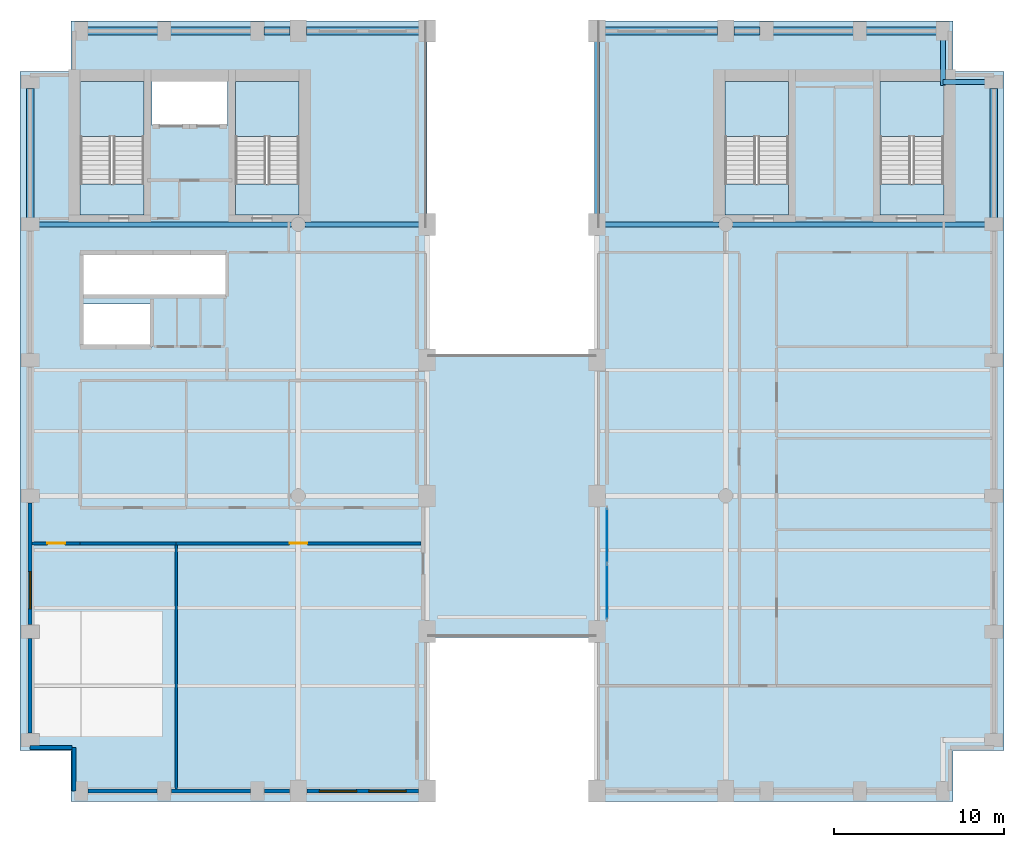
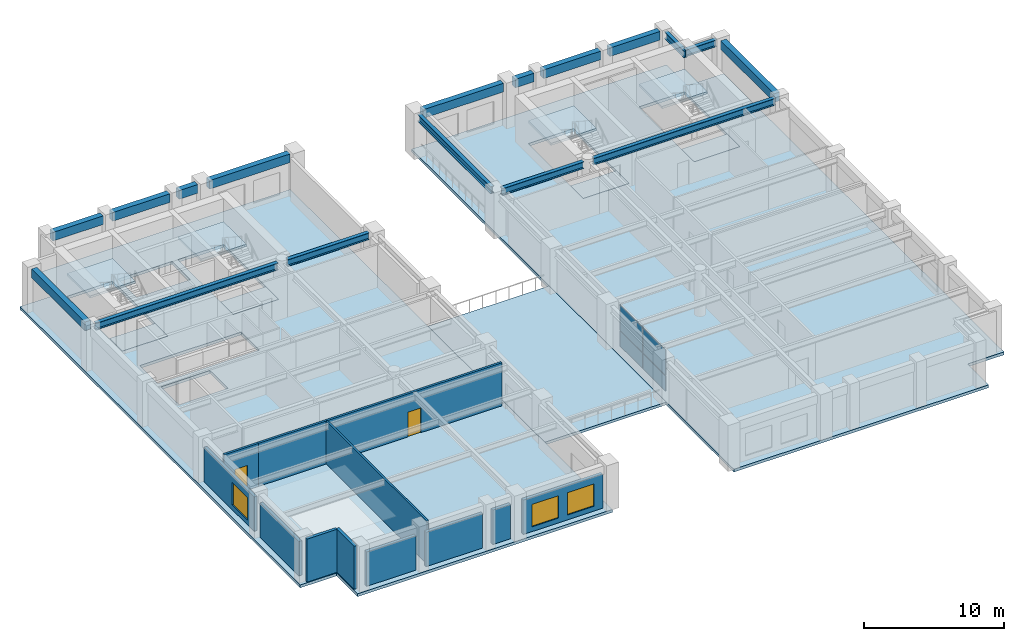
# One storey, part 3 of 10: 17 beams, 12 walls, 11 slabs, 4 plates, 3 windows, 2 doors, 5 openings, 5 elements without a shape of their own.
"""IFC4 building model written with IfcOpenShell, lengths in metres."""

import ifcopenshell
import ifcopenshell.guid

model = None  # the IFC model being written
_history = None  # IfcOwnerHistory: only IFC2X3 demands one
_inside = {}  # id of a spatial element -> (the spatial element, [elements in it])
_under = {}  # id of a project, library or spatial element -> (it, [spatial elements below it])
_declared = {}  # id of a project -> (the project, [libraries it declares])
_typed = {}  # id of a type object -> (the type object, [elements of that type])
_made_of = {}  # id of a material, layer set ... -> (it, [elements and type objects made of it])


def new_model(schema):
    """Start an empty IFC model of exactly this schema.

    Asked for "IFC4X3", IfcOpenShell would pick the latest addendum, in which some entities
    have other attributes; the version numbers below select the first issue.
    IFC2X3 requires an IfcOwnerHistory on every rooted entity: one is made here for all.
    """
    global model, _history
    if schema == "IFC4X3":
        model = ifcopenshell.file(schema_version=(4, 3, 0, 0))
    else:
        model = ifcopenshell.file(schema=schema)
    _inside.clear()
    _under.clear()
    _declared.clear()
    _typed.clear()
    _made_of.clear()
    _history = None
    if model.schema == "IFC2X3":
        org = make("IfcOrganization", Name="unknown")
        user = make(
            "IfcPersonAndOrganization",
            ThePerson=make("IfcPerson", FamilyName="unknown"),
            TheOrganization=org,
        )
        app = make(
            "IfcApplication",
            ApplicationDeveloper=org,
            Version="unknown",
            ApplicationFullName="unknown",
            ApplicationIdentifier="unknown",
        )
        _history = make(
            "IfcOwnerHistory",
            OwningUser=user,
            OwningApplication=app,
            ChangeAction="ADDED",
            CreationDate=0,
        )
    return model


def make(cls, **values):
    """One entity of the class cls with the attributes given. An attribute that is None is left unset."""
    return model.create_entity(
        cls, **{name: value for name, value in values.items() if value is not None}
    )


def rooted(cls, **values):
    """An entity with a GlobalId (a new one), such as an element, a storey or a relation."""
    return make(cls, GlobalId=ifcopenshell.guid.new(), OwnerHistory=_history, **values)


def si_unit(unit_type, name, prefix=None):
    """IfcSIUnit, for example si_unit("LENGTHUNIT", "METRE", prefix="MILLI")."""
    return make("IfcSIUnit", UnitType=unit_type, Prefix=prefix, Name=name)


def assignment(units):
    """IfcUnitAssignment: the units of a project."""
    return None if units is None else make("IfcUnitAssignment", Units=units)


def point(xyz):
    """IfcCartesianPoint."""
    return None if xyz is None else make("IfcCartesianPoint", Coordinates=xyz)


def direction(xyz):
    """IfcDirection."""
    return None if xyz is None else make("IfcDirection", DirectionRatios=xyz)


def frame(location, z_axis=None, x_axis=None):
    """IfcAxis2Placement3D, a coordinate frame: its origin and axes. An axis left out is left unset."""
    return make(
        "IfcAxis2Placement3D",
        Location=point(location),
        Axis=direction(z_axis),
        RefDirection=direction(x_axis),
    )


def frame_2d(location, x_axis=None):
    """IfcAxis2Placement2D, a coordinate frame in the plane: its origin and x axis."""
    return make(
        "IfcAxis2Placement2D", Location=point(location), RefDirection=direction(x_axis)
    )


def origin():
    """The frame at (0, 0, 0) with its axes left unset."""
    return frame((0.0, 0.0, 0.0))


def origin_2d():
    """The frame at (0, 0) in the plane with its x axis left unset."""
    return frame_2d((0.0, 0.0))


def place(relative_to, where):
    """IfcLocalPlacement: puts the frame where relative to a parent placement (None: the world)."""
    return make(
        "IfcLocalPlacement", PlacementRelTo=relative_to, RelativePlacement=where
    )


def context(
    kind, dimensions, precision=None, world=None, true_north=None, identifier=None
):
    """IfcGeometricRepresentationContext, for example the 3D "Model" context."""
    return make(
        "IfcGeometricRepresentationContext",
        ContextIdentifier=identifier,
        ContextType=kind,
        CoordinateSpaceDimension=dimensions,
        Precision=precision,
        WorldCoordinateSystem=world,
        TrueNorth=true_north,
    )


def subcontext(parent, identifier, kind, view, scale=None):
    """IfcGeometricRepresentationSubContext, for example "Body" below "Model"."""
    return make(
        "IfcGeometricRepresentationSubContext",
        ContextIdentifier=identifier,
        ContextType=kind,
        ParentContext=parent,
        TargetScale=scale,
        TargetView=view,
    )


def project(units=None, contexts=None):
    """IfcProject with its units and contexts."""
    return rooted(
        "IfcProject",
        Name="project",
        RepresentationContexts=contexts,
        UnitsInContext=assignment(units),
    )


def spatial(cls, under=None, at=None, **own):
    """A site, building, storey or space (cls), placed at a placement, below another one or the project."""
    s = rooted(cls, ObjectPlacement=at, **own)
    if under is not None:
        _under.setdefault(under.id(), (under, []))[1].append(s)
    return s


def polyline(points):
    """IfcPolyline through the points."""
    return make("IfcPolyline", Points=[point(p) for p in points])


def profile(cls, at=None, kind="AREA", **sizes):
    """A parametric profile (cls). Its sizes go by their IFC names, for example OverallWidth=200.0."""
    return make(cls, ProfileType=kind, Position=at, **sizes)


def rectangle(**sizes):
    """IfcRectangleProfileDef."""
    return profile("IfcRectangleProfileDef", **sizes)


def i_section(**sizes):
    """IfcIShapeProfileDef."""
    return profile("IfcIShapeProfileDef", **sizes)


def outline(outer, holes=None, kind="AREA"):
    """IfcArbitraryClosedProfileDef: a profile drawn as a closed curve; with holes, ...WithVoids."""
    if holes is None:
        return make("IfcArbitraryClosedProfileDef", ProfileType=kind, OuterCurve=outer)
    return make(
        "IfcArbitraryProfileDefWithVoids",
        ProfileType=kind,
        OuterCurve=outer,
        InnerCurves=holes,
    )


def extrude(swept, where, along, depth):
    """IfcExtrudedAreaSolid: the profile swept, set in the frame where, extruded along a direction by depth."""
    return make(
        "IfcExtrudedAreaSolid",
        SweptArea=swept,
        Position=where,
        ExtrudedDirection=direction(along),
        Depth=depth,
    )


def shape(context_of_items, identifier, shape_type, items):
    """IfcShapeRepresentation: the items that make up one representation, for example the "Body"."""
    return make(
        "IfcShapeRepresentation",
        ContextOfItems=context_of_items,
        RepresentationIdentifier=identifier,
        RepresentationType=shape_type,
        Items=items,
    )


def material(Name=None, Category=None):
    """IfcMaterial."""
    return make("IfcMaterial", Name=Name, Category=Category)


def layer(
    of_material, thickness, ventilated=None, Name=None, Category=None, Priority=None
):
    """IfcMaterialLayer: one layer of a wall or slab, of a material (None: an air gap)."""
    return make(
        "IfcMaterialLayer",
        Material=of_material,
        LayerThickness=thickness,
        IsVentilated=ventilated,
        Name=Name,
        Category=Category,
        Priority=Priority,
    )


def layer_set(layers, Name=None):
    """IfcMaterialLayerSet."""
    return make("IfcMaterialLayerSet", MaterialLayers=layers, LayerSetName=Name)


def material_profile(
    of_material, cross_section, Name=None, Category=None, Priority=None
):
    """IfcMaterialProfile: a cross section and its material."""
    return make(
        "IfcMaterialProfile",
        Name=Name,
        Material=of_material,
        Profile=cross_section,
        Priority=Priority,
        Category=Category,
    )


def profile_set(profiles, Name=None, composite=None):
    """IfcMaterialProfileSet."""
    return make(
        "IfcMaterialProfileSet",
        Name=Name,
        MaterialProfiles=profiles,
        CompositeProfile=composite,
    )


def made_of(thing, what):
    """Note that an element or type object is made of a material, layer set ...; save() writes the relation."""
    if what is not None:
        _made_of.setdefault(what.id(), (what, []))[1].append(thing)
    return thing


def type_object(cls, material=None, **own):
    """A type object (cls), such as IfcWallType, which elements share."""
    return made_of(rooted(cls, **own), material)


def element(
    cls,
    number,
    at=None,
    inside=None,
    cuts=None,
    type_object=None,
    material=None,
    context=None,
    identifier="Body",
    shape_type=None,
    held_by="IfcProductDefinitionShape",
    body=None,
    shapes=None,
    **own,
):
    """One element of the class cls, such as IfcWall. Its Tag is "e" and its number.

    at: its placement. inside: the storey or other place that contains it. cuts: it is an
    opening in that element (IfcRelVoidsElement). A single representation is given by context,
    identifier, shape_type and body (its items); several are given by shapes. held_by: the class
    of the entity that holds the representations. save() writes the other relations.
    """
    e = rooted(cls, Tag="e%d" % number, ObjectPlacement=at, **own)
    if body is not None:
        shapes = [shape(context, identifier, shape_type, body)]
    if shapes is not None:
        e.Representation = make(held_by, Representations=shapes)
    if inside is not None:
        _inside.setdefault(inside.id(), (inside, []))[1].append(e)
    if cuts is not None:
        rooted(
            "IfcRelVoidsElement", RelatingBuildingElement=cuts, RelatedOpeningElement=e
        )
    if type_object is not None:
        _typed.setdefault(type_object.id(), (type_object, []))[1].append(e)
    return made_of(e, material)


def fill(opening, filler):
    """IfcRelFillsElement: the door or window that sits in an opening."""
    return rooted(
        "IfcRelFillsElement",
        RelatingOpeningElement=opening,
        RelatedBuildingElement=filler,
    )


def aggregate(whole, parts):
    """IfcRelAggregates: a whole, such as a stair, and the parts it consists of."""
    return rooted("IfcRelAggregates", RelatingObject=whole, RelatedObjects=parts)


def save(model, path):
    """Write the relations noted so far, then the file.

    IfcRelAggregates (storeys below a building ...), IfcRelContainedInSpatialStructure (elements
    in a storey), IfcRelDefinesByType, IfcRelAssociatesMaterial and IfcRelDeclares: one each for
    every whole, place, type object, material and project.
    """
    for whole, parts in _under.values():
        aggregate(whole, parts)
    for where, things in _inside.values():
        rooted(
            "IfcRelContainedInSpatialStructure",
            RelatedElements=things,
            RelatingStructure=where,
        )
    for kind, things in _typed.values():
        rooted("IfcRelDefinesByType", RelatedObjects=things, RelatingType=kind)
    for what, things in _made_of.values():
        rooted("IfcRelAssociatesMaterial", RelatedObjects=things, RelatingMaterial=what)
    for by, libraries in _declared.values():
        rooted("IfcRelDeclares", RelatingContext=by, RelatedDefinitions=libraries)
    model.write(path)


model = new_model("IFC4")

# Units and contexts
model_context = context("Model", 3, precision=1e-05, world=origin(), true_north=direction((0.0, 1.0)))
body_context = subcontext(model_context, "Body", "Model", "MODEL_VIEW")
ifc_project = project(units=[si_unit("LENGTHUNIT", "METRE"), si_unit("AREAUNIT", "SQUARE_METRE"), si_unit("VOLUMEUNIT", "CUBIC_METRE"), si_unit("PLANEANGLEUNIT", "RADIAN"), si_unit("MASSUNIT", "GRAM", prefix="KILO")], contexts=[model_context])

# Site, building, storey
site_placement = place(None, origin())
site = spatial("IfcSite", under=ifc_project, at=site_placement, CompositionType="ELEMENT")
building_placement = place(site_placement, origin())
building = spatial("IfcBuilding", under=site, at=building_placement, Name="Sulina Concourse Tower", CompositionType="ELEMENT")
storey_placement = place(building_placement, frame((0.0, 0.0, 182.60009765625)))
storey = spatial("IfcBuildingStorey", under=building, at=storey_placement, Name="L44", CompositionType="ELEMENT", Elevation=182.60009765625)

# Beams
ifc_material_1 = material(Name="Steel S355", Category="steel")
ifc_material_profile_1 = material_profile(ifc_material_1, i_section(OverallWidth=0.300048828125, OverallDepth=0.60009765625, WebThickness=0.015380859375, FlangeThickness=0.030029296875, at=origin_2d()), Name="HE 600 B")
ifc_profile_set_1 = profile_set([ifc_material_profile_1], Name="Steel S355")
beam_type_1 = type_object("IfcBeamType", Name="Floor Primary Girder Zone 3 HE600B", PredefinedType="BEAM", material=ifc_profile_set_1)
beam_1_placement = place(storey_placement, frame((54.39990234375, 42.39990234375, 3.449951171875), z_axis=(1.0, 0.0, 0.0), x_axis=(0.0, 1.0, 0.0)))
element("IfcBeam", 1, at=beam_1_placement, inside=storey, type_object=beam_type_1, Name="TIE-NE-L44", PredefinedType="BEAM", context=body_context, shape_type="SweptSolid", body=[
    extrude(i_section(OverallWidth=0.300048828125, OverallDepth=0.60009765625, WebThickness=0.015380859375, FlangeThickness=0.030029296875, at=origin_2d()), origin(), (0.0, 0.0, 1.0), 2.6201171875),
])
beam_2_placement = place(storey_placement, frame((54.39990234375, 42.199951171875, 3.449951171875), z_axis=(0.0, 1.0, 0.0), x_axis=(-1.0, 0.0, 0.0)))
element("IfcBeam", 2, at=beam_2_placement, inside=storey, type_object=beam_type_1, Name="TIE-NEN-L44", PredefinedType="BEAM", context=body_context, shape_type="SweptSolid", body=[
    extrude(i_section(OverallWidth=0.300048828125, OverallDepth=0.60009765625, WebThickness=0.015380859375, FlangeThickness=0.030029296875, at=origin_2d()), origin(), (0.0, 0.0, 1.0), 2.820068359375),
])
beam_3_placement = place(storey_placement, frame((0.97998046875, 34.0, 3.449951171875), z_axis=(1.0, 0.0, 0.0), x_axis=(0.0, 1.0, 0.0)))
element("IfcBeam", 3, at=beam_3_placement, inside=storey, type_object=beam_type_1, Name="FG-EWN1-L44", PredefinedType="BEAM", context=body_context, shape_type="SweptSolid", body=[
    extrude(i_section(OverallWidth=0.300048828125, OverallDepth=0.60009765625, WebThickness=0.015380859375, FlangeThickness=0.030029296875, at=origin_2d()), origin(), (0.0, 0.0, 1.0), 15.01513671875),
])
for number, where, z_axis, x_axis, name in (
    (4, (16.804931640625, 34.0, 3.449951171875), (1.0, 0.0, 0.0), (0.0, 1.0, 0.0), "FG-EWN2-L44"),
    (5, (34.47998046875, 34.0, 3.449951171875), (1.0, 0.0, 0.0), (0.0, 1.0, 0.0), "FG-EWN4-L44"),
):
    element("IfcBeam", number, at=place(storey_placement, frame(where, z_axis=z_axis, x_axis=x_axis)), inside=storey, type_object=beam_type_1, Name=name, PredefinedType="BEAM", context=body_context, shape_type="SweptSolid", body=[
        extrude(i_section(OverallWidth=0.300048828125, OverallDepth=0.60009765625, WebThickness=0.015380859375, FlangeThickness=0.030029296875, at=origin_2d()), origin(), (0.0, 0.0, 1.0), 6.715087890625),
    ])
beam_4_placement = place(storey_placement, frame((42.0048828125, 34.0, 3.449951171875), z_axis=(1.0, 0.0, 0.0), x_axis=(0.0, 1.0, 0.0)))
element("IfcBeam", 6, at=beam_4_placement, inside=storey, type_object=beam_type_1, Name="FG-EWN5-L44", PredefinedType="BEAM", context=body_context, shape_type="SweptSolid", body=[
    extrude(i_section(OverallWidth=0.300048828125, OverallDepth=0.60009765625, WebThickness=0.015380859375, FlangeThickness=0.030029296875, at=origin_2d()), origin(), (0.0, 0.0, 1.0), 15.01513671875),
])
beam_5_placement = place(storey_placement, frame((34.0, 34.47998046875, 3.449951171875), z_axis=(0.0, 1.0, 0.0), x_axis=(-1.0, 0.0, 0.0)))
element("IfcBeam", 7, at=beam_5_placement, inside=storey, type_object=beam_type_1, Name="FG-NSC-34-L44", PredefinedType="BEAM", context=body_context, shape_type="SweptSolid", body=[
    extrude(i_section(OverallWidth=0.300048828125, OverallDepth=0.60009765625, WebThickness=0.015380859375, FlangeThickness=0.030029296875, at=origin_2d()), origin(), (0.0, 0.0, 1.0), 10.43994140625),
])
ifc_material_2 = material(Name="Precast concrete C50/60", Category="concrete")
ifc_material_profile_2 = material_profile(ifc_material_2, rectangle(XDim=0.449951171875, YDim=0.75, at=origin_2d()), Name="RC 450x750")
ifc_profile_set_2 = profile_set([ifc_material_profile_2], Name="Precast concrete C50/60")
beam_type_2 = type_object("IfcBeamType", Name="Upper Precast Spandrel Edge Beam 450x750", PredefinedType="BEAM", material=ifc_profile_set_2)
beam_6_placement = place(storey_placement, frame((3.97998046875, 45.39990234375, 3.375), z_axis=(1.0, 0.0, 0.0), x_axis=(0.0, 1.0, 0.0)))
element("IfcBeam", 8, at=beam_6_placement, inside=storey, type_object=beam_type_2, Name="SP-N1-L44", PredefinedType="BEAM", context=body_context, shape_type="SweptSolid", body=[
    extrude(rectangle(XDim=0.449951171875, YDim=0.75, at=origin_2d()), origin(), (0.0, 0.0, 1.0), 4.14013671875),
])
beam_7_placement = place(storey_placement, frame((8.8798828125, 45.39990234375, 3.375), z_axis=(1.0, 0.0, 0.0), x_axis=(0.0, 1.0, 0.0)))
element("IfcBeam", 9, at=beam_7_placement, inside=storey, type_object=beam_type_2, Name="SP-N2-L44", PredefinedType="BEAM", context=body_context, shape_type="SweptSolid", body=[
    extrude(rectangle(XDim=0.449951171875, YDim=0.75, at=origin_2d()), origin(), (0.0, 0.0, 1.0), 4.740234375),
])
beam_8_placement = place(storey_placement, frame((14.3798828125, 45.39990234375, 3.375), z_axis=(1.0, 0.0, 0.0), x_axis=(0.0, 1.0, 0.0)))
element("IfcBeam", 10, at=beam_8_placement, inside=storey, type_object=beam_type_2, Name="SP-N3-L44", PredefinedType="BEAM", context=body_context, shape_type="SweptSolid", body=[
    extrude(rectangle(XDim=0.449951171875, YDim=0.75, at=origin_2d()), origin(), (0.0, 0.0, 1.0), 1.5400390625),
])
for number, where, z_axis, x_axis, name in (
    (11, (16.8798828125, 45.39990234375, 3.375), (1.0, 0.0, 0.0), (0.0, 1.0, 0.0), "SP-N4-L44"),
    (12, (34.47998046875, 45.39990234375, 3.375), (1.0, 0.0, 0.0), (0.0, 1.0, 0.0), "SP-N6-L44"),
):
    element("IfcBeam", number, at=place(storey_placement, frame(where, z_axis=z_axis, x_axis=x_axis)), inside=storey, type_object=beam_type_2, Name=name, PredefinedType="BEAM", context=body_context, shape_type="SweptSolid", body=[
        extrude(rectangle(XDim=0.449951171875, YDim=0.75, at=origin_2d()), origin(), (0.0, 0.0, 1.0), 6.64013671875),
    ])
beam_9_placement = place(storey_placement, frame((42.080078125, 45.39990234375, 3.375), z_axis=(1.0, 0.0, 0.0), x_axis=(0.0, 1.0, 0.0)))
element("IfcBeam", 13, at=beam_9_placement, inside=storey, type_object=beam_type_2, Name="SP-N7-L44", PredefinedType="BEAM", context=body_context, shape_type="SweptSolid", body=[
    extrude(rectangle(XDim=0.449951171875, YDim=0.75, at=origin_2d()), origin(), (0.0, 0.0, 1.0), 1.5400390625),
])
beam_10_placement = place(storey_placement, frame((44.3798828125, 45.39990234375, 3.375), z_axis=(1.0, 0.0, 0.0), x_axis=(0.0, 1.0, 0.0)))
element("IfcBeam", 14, at=beam_10_placement, inside=storey, type_object=beam_type_2, Name="SP-N8-L44", PredefinedType="BEAM", context=body_context, shape_type="SweptSolid", body=[
    extrude(rectangle(XDim=0.449951171875, YDim=0.75, at=origin_2d()), origin(), (0.0, 0.0, 1.0), 4.740234375),
])
beam_11_placement = place(storey_placement, frame((49.8798828125, 45.39990234375, 3.375), z_axis=(1.0, 0.0, 0.0), x_axis=(0.0, 1.0, 0.0)))
element("IfcBeam", 15, at=beam_11_placement, inside=storey, type_object=beam_type_2, Name="SP-N9-L44", PredefinedType="BEAM", context=body_context, shape_type="SweptSolid", body=[
    extrude(rectangle(XDim=0.449951171875, YDim=0.75, at=origin_2d()), origin(), (0.0, 0.0, 1.0), 4.14013671875),
])
for number, where, z_axis, x_axis, name in (
    (16, (0.60009765625, 34.3798828125, 3.375), (0.0, 1.0, 0.0), (-1.0, 0.0, 0.0), "SP-W5-L44"),
    (17, (57.39990234375, 34.3798828125, 3.375), (0.0, 1.0, 0.0), (-1.0, 0.0, 0.0), "SP-E5-L44"),
):
    element("IfcBeam", number, at=place(storey_placement, frame(where, z_axis=z_axis, x_axis=x_axis)), inside=storey, type_object=beam_type_2, Name=name, PredefinedType="BEAM", context=body_context, shape_type="SweptSolid", body=[
        extrude(rectangle(XDim=0.449951171875, YDim=0.75, at=origin_2d()), origin(), (0.0, 0.0, 1.0), 7.64013671875),
    ])

# Slabs
ifc_material_3 = material(Name="Precast concrete C50/60", Category="concrete")
ifc_layer_1 = layer(ifc_material_3, 0.235107421875)
ifc_layer_set_1 = layer_set([ifc_layer_1], Name="Precast concrete C50/60")
slab_type_1 = type_object("IfcSlabType", Name="Crown Stepped Terrace & Pool Deck Slab 235mm", PredefinedType="FLOOR", material=ifc_layer_set_1)
slab_1_placement = place(storey_placement, frame((0.0, 0.0, -0.235107421875)))
element("IfcSlab", 18, at=slab_1_placement, inside=storey, type_object=slab_type_1, Name="L44 outdoor terrace slab TER-WP1", PredefinedType="FLOOR", context=body_context, shape_type="SweptSolid", body=[
    extrude(outline(polyline([(24.0, 9.64990234375), (34.0, 9.64990234375), (34.0, 26.35009765625), (24.0, 26.35009765625), (24.0, 9.64990234375)])), origin(), (0.0, 0.0, 1.0), 0.235107421875),
])
ifc_material_4 = material(Name="Concrete C50/60", Category="concrete")
ifc_layer_2 = layer(ifc_material_4, 0.25)
ifc_layer_set_2 = layer_set([ifc_layer_2], Name="Concrete C50/60")
slab_type_2 = type_object("IfcSlabType", Name="High-Rise Composite Floor Slab 250mm", PredefinedType="FLOOR", material=ifc_layer_set_2)
slab_2_placement = place(storey_placement, frame((0.0, 0.0, -0.25)))
element("IfcSlab", 19, at=slab_2_placement, inside=storey, type_object=slab_type_2, Name="L44 structural floor slab-P1", PredefinedType="FLOOR", context=body_context, shape_type="SweptSolid", body=[
    extrude(outline(polyline([(3.0, 0.0), (24.0, 0.0), (24.0, 46.0), (3.0, 46.0), (3.0, 43.0), (0.0, 43.0), (0.0, 3.0), (3.0, 3.0), (3.0, 0.0)]), holes=[polyline([(7.31005859375, 34.550048828125), (7.31005859375, 42.429931640625), (3.550048828125, 42.429931640625), (3.550048828125, 34.550048828125), (7.31005859375, 34.550048828125)]), polyline([(16.449951171875, 34.550048828125), (16.449951171875, 42.429931640625), (12.68994140625, 42.429931640625), (12.68994140625, 34.550048828125), (16.449951171875, 34.550048828125)]), polyline([(7.780029296875, 39.830078125), (12.219970703125, 39.830078125), (12.219970703125, 42.449951171875), (7.780029296875, 42.449951171875), (7.780029296875, 39.830078125)]), polyline([(3.739990234375, 26.780029296875), (7.77001953125, 26.780029296875), (7.77001953125, 29.320068359375), (3.739990234375, 29.320068359375), (3.739990234375, 26.780029296875)]), polyline([(3.739990234375, 29.780029296875), (12.10009765625, 29.780029296875), (12.10009765625, 32.3701171875), (3.739990234375, 32.3701171875), (3.739990234375, 29.780029296875)])]), origin(), (0.0, 0.0, 1.0), 0.25),
])
slab_3_placement = place(storey_placement, frame((0.0, 0.0, -0.25)))
element("IfcSlab", 20, at=slab_3_placement, inside=storey, type_object=slab_type_2, Name="L44 structural floor slab-P2", PredefinedType="FLOOR", context=body_context, shape_type="SweptSolid", body=[
    extrude(outline(polyline([(34.0, 0.0), (55.0, 0.0), (55.0, 3.0), (58.0, 3.0), (58.0, 43.0), (55.0, 43.0), (55.0, 46.0), (34.0, 46.0), (34.0, 0.0)]), holes=[polyline([(45.31005859375, 34.550048828125), (45.31005859375, 42.429931640625), (41.550048828125, 42.429931640625), (41.550048828125, 34.550048828125), (45.31005859375, 34.550048828125)]), polyline([(54.449951171875, 34.550048828125), (54.449951171875, 42.429931640625), (50.68994140625, 42.429931640625), (50.68994140625, 34.550048828125), (54.449951171875, 34.550048828125)])]), origin(), (0.0, 0.0, 1.0), 0.25),
])
ifc_material_5 = material(Name="Concrete C50/60", Category="concrete")
ifc_layer_3 = layer(ifc_material_5, 0.199951171875)
ifc_layer_set_3 = layer_set([ifc_layer_3], Name="Concrete C50/60")
slab_type_3 = type_object("IfcSlabType", Name="Primary Core Stair Landing Slab 200mm", PredefinedType="LANDING", material=ifc_layer_set_3)
slab_4_placement = place(storey_placement, frame((0.0, 0.0, -0.2001953125)))
element("IfcSlab", 21, at=slab_4_placement, inside=storey, type_object=slab_type_3, Name="L44 ST-1 floor landing slab", PredefinedType="LANDING", context=body_context, shape_type="SweptSolid", body=[
    extrude(outline(polyline([(7.31005859375, 34.550048828125), (7.31005859375, 36.375), (3.550048828125, 36.375), (3.550048828125, 34.550048828125), (7.31005859375, 34.550048828125)])), origin(), (0.0, 0.0, 1.0), 0.2001953125),
])
slab_5_placement = place(storey_placement, frame((0.0, 0.0, -0.2001953125)))
element("IfcSlab", 22, at=slab_5_placement, inside=storey, type_object=slab_type_3, Name="L44 ST-2 floor landing slab", PredefinedType="LANDING", context=body_context, shape_type="SweptSolid", body=[
    extrude(outline(polyline([(16.449951171875, 34.550048828125), (16.449951171875, 36.375), (12.68994140625, 36.375), (12.68994140625, 34.550048828125), (16.449951171875, 34.550048828125)])), origin(), (0.0, 0.0, 1.0), 0.2001953125),
])
slab_6_placement = place(storey_placement, frame((0.0, 0.0, -0.2001953125)))
element("IfcSlab", 23, at=slab_6_placement, inside=storey, type_object=slab_type_3, Name="L44 ST-3 floor landing slab", PredefinedType="LANDING", context=body_context, shape_type="SweptSolid", body=[
    extrude(outline(polyline([(45.31005859375, 34.550048828125), (45.31005859375, 36.375), (41.550048828125, 36.375), (41.550048828125, 34.550048828125), (45.31005859375, 34.550048828125)])), origin(), (0.0, 0.0, 1.0), 0.2001953125),
])
slab_7_placement = place(storey_placement, frame((0.0, 0.0, -0.2001953125)))
element("IfcSlab", 24, at=slab_7_placement, inside=storey, type_object=slab_type_3, Name="L44 ST-4 floor landing slab", PredefinedType="LANDING", context=body_context, shape_type="SweptSolid", body=[
    extrude(outline(polyline([(54.449951171875, 34.550048828125), (54.449951171875, 36.375), (50.68994140625, 36.375), (50.68994140625, 34.550048828125), (54.449951171875, 34.550048828125)])), origin(), (0.0, 0.0, 1.0), 0.2001953125),
])

# Stair, slab
ifc_material_6 = material(Name="Concrete C50/60", Category="concrete")
stair_type_1 = type_object("IfcStairType", Name="Primary Core Dog-Leg Exit Stair 1800mm", PredefinedType="HALF_TURN_STAIR", material=ifc_material_6)
stair_1_placement = place(storey_placement, origin())
stair_1 = element("IfcStair", 25, at=stair_1_placement, inside=storey, type_object=stair_type_1, Name="L44 ST-1", PredefinedType="HALF_TURN_STAIR")
slab_8_placement = place(storey_placement, frame((0.0, 0.0, 1.7998046875)))
slab_8 = element("IfcSlab", 26, at=slab_8_placement, type_object=slab_type_3, Name="ST-1 landing 1", PredefinedType="LANDING", context=body_context, shape_type="SweptSolid", body=[
    extrude(outline(polyline([(7.304931640625, 39.175048828125), (7.304931640625, 42.425048828125), (3.554931640625, 42.425048828125), (3.554931640625, 39.175048828125), (7.304931640625, 39.175048828125)])), origin(), (0.0, 0.0, 1.0), 0.2001953125),
])
aggregate(stair_1, [slab_8])

stair_2_placement = place(storey_placement, origin())
stair_2 = element("IfcStair", 27, at=stair_2_placement, inside=storey, type_object=stair_type_1, Name="L44 ST-2", PredefinedType="HALF_TURN_STAIR")
slab_9_placement = place(storey_placement, frame((0.0, 0.0, 1.7998046875)))
slab_9 = element("IfcSlab", 28, at=slab_9_placement, type_object=slab_type_3, Name="ST-2 landing 1", PredefinedType="LANDING", context=body_context, shape_type="SweptSolid", body=[
    extrude(outline(polyline([(16.445068359375, 39.175048828125), (16.445068359375, 42.425048828125), (12.695068359375, 42.425048828125), (12.695068359375, 39.175048828125), (16.445068359375, 39.175048828125)])), origin(), (0.0, 0.0, 1.0), 0.2001953125),
])
aggregate(stair_2, [slab_9])

ifc_material_7 = material(Name="Concrete C50/60", Category="concrete")
stair_type_2 = type_object("IfcStairType", Name="Portal & Podium Core Exit Stair 1820mm", PredefinedType="HALF_TURN_STAIR", material=ifc_material_7)
stair_3_placement = place(storey_placement, origin())
stair_3 = element("IfcStair", 29, at=stair_3_placement, inside=storey, type_object=stair_type_2, Name="L44 ST-3", PredefinedType="HALF_TURN_STAIR")
slab_10_placement = place(storey_placement, frame((0.0, 0.0, 1.7998046875)))
slab_10 = element("IfcSlab", 30, at=slab_10_placement, type_object=slab_type_3, Name="ST-3 landing 1", PredefinedType="LANDING", context=body_context, shape_type="SweptSolid", body=[
    extrude(outline(polyline([(45.304931640625, 39.175048828125), (45.304931640625, 42.425048828125), (41.554931640625, 42.425048828125), (41.554931640625, 39.175048828125), (45.304931640625, 39.175048828125)])), origin(), (0.0, 0.0, 1.0), 0.2001953125),
])
aggregate(stair_3, [slab_10])

stair_4_placement = place(storey_placement, origin())
stair_4 = element("IfcStair", 31, at=stair_4_placement, inside=storey, type_object=stair_type_2, Name="L44 ST-4", PredefinedType="HALF_TURN_STAIR")
slab_11_placement = place(storey_placement, frame((0.0, 0.0, 1.7998046875)))
slab_11 = element("IfcSlab", 32, at=slab_11_placement, type_object=slab_type_3, Name="ST-4 landing 1", PredefinedType="LANDING", context=body_context, shape_type="SweptSolid", body=[
    extrude(outline(polyline([(54.445068359375, 39.175048828125), (54.445068359375, 42.425048828125), (50.695068359375, 42.425048828125), (50.695068359375, 39.175048828125), (54.445068359375, 39.175048828125)])), origin(), (0.0, 0.0, 1.0), 0.2001953125),
])
aggregate(stair_4, [slab_11])

# Curtain wall, plates
ifc_material_8 = material(Name="Aluminium 6063-T6", Category="aluminium")
ifc_layer_4 = layer(ifc_material_8, 0.25)
ifc_layer_set_4 = layer_set([ifc_layer_4], Name="Aluminium 6063-T6")
curtain_wall_type = type_object("IfcCurtainWallType", Name="Upper Wind-Portal Curtain Wall System", PredefinedType="NOTDEFINED", material=ifc_layer_set_4)
curtain_wall_placement = place(storey_placement, origin())
curtain_wall = element("IfcCurtainWall", 33, at=curtain_wall_placement, inside=storey, type_object=curtain_wall_type, Name="L44 glazed curtain wall PE2", PredefinedType="NOTDEFINED")
ifc_material_9 = material(Name="High-wind laminated portal glazing", Category="glass")
ifc_layer_5 = layer(ifc_material_9, 0.0380859375)
ifc_layer_set_5 = layer_set([ifc_layer_5], Name="High-wind laminated portal glazing")
plate_type = type_object("IfcPlateType", Name="Upper Wind-Portal Curtain Wall System Glazed Panel 38mm", PredefinedType="CURTAIN_PANEL", material=ifc_layer_set_5)
plate_1_placement = place(storey_placement, frame((34.60009765625, 12.35498046875, 0.074951171875), z_axis=(0.0, 0.0, 1.0), x_axis=(0.0, 1.0, 0.0)))
plate_1 = element("IfcPlate", 34, at=plate_1_placement, type_object=plate_type, Name="CW-04 panel 1.1", PredefinedType="CURTAIN_PANEL", context=body_context, shape_type="SweptSolid", body=[
    extrude(rectangle(XDim=3.2099609375, YDim=0.0380859375, at=origin_2d()), origin(), (0.0, 0.0, 1.0), 1.3125),
])
plate_2_placement = place(storey_placement, frame((34.60009765625, 12.35498046875, 1.46240234375), z_axis=(0.0, 0.0, 1.0), x_axis=(0.0, 1.0, 0.0)))
plate_2 = element("IfcPlate", 35, at=plate_2_placement, type_object=plate_type, Name="CW-04 panel 1.2", PredefinedType="CURTAIN_PANEL", context=body_context, shape_type="SweptSolid", body=[
    extrude(rectangle(XDim=3.2099609375, YDim=0.0380859375, at=origin_2d()), origin(), (0.0, 0.0, 1.0), 2.21240234375),
])
plate_3_placement = place(storey_placement, frame((34.60009765625, 15.64501953125, 0.074951171875), z_axis=(0.0, 0.0, 1.0), x_axis=(0.0, 1.0, 0.0)))
plate_3 = element("IfcPlate", 36, at=plate_3_placement, type_object=plate_type, Name="CW-04 panel 2.1", PredefinedType="CURTAIN_PANEL", context=body_context, shape_type="SweptSolid", body=[
    extrude(rectangle(XDim=3.2099609375, YDim=0.0380859375, at=origin_2d()), origin(), (0.0, 0.0, 1.0), 1.3125),
])
plate_4_placement = place(storey_placement, frame((34.60009765625, 15.64501953125, 1.46240234375), z_axis=(0.0, 0.0, 1.0), x_axis=(0.0, 1.0, 0.0)))
plate_4 = element("IfcPlate", 37, at=plate_4_placement, type_object=plate_type, Name="CW-04 panel 2.2", PredefinedType="CURTAIN_PANEL", context=body_context, shape_type="SweptSolid", body=[
    extrude(rectangle(XDim=3.2099609375, YDim=0.0380859375, at=origin_2d()), origin(), (0.0, 0.0, 1.0), 2.21240234375),
])
aggregate(curtain_wall, [plate_1, plate_2, plate_3, plate_4])

# Walls
ifc_material_10 = material(Name="Precast concrete C50/60", Category="concrete")
ifc_layer_6 = layer(ifc_material_10, 0.239990234375)
ifc_layer_set_6 = layer_set([ifc_layer_6], Name="Precast concrete C50/60")
wall_type_1 = type_object("IfcWallType", Name="Crown Precast Masonry-Frame Facade Wall 240mm", PredefinedType="SOLIDWALL", material=ifc_layer_set_6)
wall_1_placement = place(storey_placement, frame((8.080078125, 0.60009765625, 0.0), z_axis=(0.0, 0.0, 1.0), x_axis=(-1.0, 0.0, 0.0)))
element("IfcWall", 38, at=wall_1_placement, inside=storey, type_object=wall_type_1, Name="L44 exterior precast wall S1", PredefinedType="SOLIDWALL", context=body_context, shape_type="SweptSolid", body=[
    extrude(rectangle(XDim=4.06005859375, YDim=0.239990234375, at=frame_2d((2.030029296875, 0.0))), origin(), (0.0, 0.0, 1.0), 3.0),
])
wall_2_placement = place(storey_placement, frame((13.580078125, 0.60009765625, 0.0), z_axis=(0.0, 0.0, 1.0), x_axis=(-1.0, 0.0, 0.0)))
element("IfcWall", 39, at=wall_2_placement, inside=storey, type_object=wall_type_1, Name="L44 exterior precast wall S2", PredefinedType="SOLIDWALL", context=body_context, shape_type="SweptSolid", body=[
    extrude(rectangle(XDim=4.66015625, YDim=0.239990234375, at=frame_2d((2.330078125, 0.0))), origin(), (0.0, 0.0, 1.0), 3.0),
])
wall_3_placement = place(storey_placement, frame((15.8798828125, 0.60009765625, 0.0), z_axis=(0.0, 0.0, 1.0), x_axis=(-1.0, 0.0, 0.0)))
element("IfcWall", 40, at=wall_3_placement, inside=storey, type_object=wall_type_1, Name="L44 exterior precast wall S3", PredefinedType="SOLIDWALL", context=body_context, shape_type="SweptSolid", body=[
    extrude(rectangle(XDim=1.4599609375, YDim=0.239990234375, at=frame_2d((0.72998046875, 0.0))), origin(), (0.0, 0.0, 1.0), 3.0),
])

# Wall, openings, windows
wall_4_placement = place(storey_placement, frame((23.47998046875, 0.60009765625, 0.0), z_axis=(0.0, 0.0, 1.0), x_axis=(-1.0, 0.0, 0.0)))
wall_4 = element("IfcWall", 41, at=wall_4_placement, inside=storey, type_object=wall_type_1, Name="L44 exterior precast wall S4", PredefinedType="SOLIDWALL", context=body_context, shape_type="SweptSolid", body=[
    extrude(rectangle(XDim=6.56005859375, YDim=0.239990234375, at=frame_2d((3.280029296875, 0.0))), origin(), (0.0, 0.0, 1.0), 3.0),
])
opening_1_placement = place(wall_4_placement, frame((0.719970703125, 0.0, 0.419921875)))
opening_1 = element("IfcOpeningElement", 42, at=opening_1_placement, cuts=wall_4, Name="Opening WN-76", PredefinedType="OPENING", context=body_context, shape_type="SweptSolid", body=[
    extrude(rectangle(XDim=2.199951171875, YDim=1.949951171875, at=frame_2d((1.10009765625, 0.97509765625))), frame((0.0, 0.1298828125, 0.0), z_axis=(0.0, -1.0, 0.0), x_axis=(1.0, 0.0, 0.0)), (0.0, 0.0, 1.0), 0.260009765625),
])
opening_2_placement = place(wall_4_placement, frame((3.639892578125, 0.0, 0.419921875)))
opening_2 = element("IfcOpeningElement", 43, at=opening_2_placement, cuts=wall_4, Name="Opening WN-76", PredefinedType="OPENING", context=body_context, shape_type="SweptSolid", body=[
    extrude(rectangle(XDim=2.199951171875, YDim=1.949951171875, at=frame_2d((1.10009765625, 0.97509765625))), frame((0.0, 0.1298828125, 0.0), z_axis=(0.0, -1.0, 0.0), x_axis=(1.0, 0.0, 0.0)), (0.0, 0.0, 1.0), 0.260009765625),
])
ifc_material_11 = material(Name="Low-E solar double glazing in bronze aluminium", Category="aluminium")
window_type = type_object("IfcWindowType", Name="Recessed Spandrel Window 2200x1950", PartitioningType="DOUBLE_PANEL_VERTICAL", PredefinedType="WINDOW", material=ifc_material_11)
window_1_placement = place(opening_1_placement, origin())
window_1 = element("IfcWindow", 44, at=window_1_placement, inside=storey, type_object=window_type, Name="L44 punched window S4-1", OverallHeight=1.949951171875, OverallWidth=2.199951171875, PartitioningType="SINGLE_PANEL", PredefinedType="WINDOW", context=body_context, shape_type="SweptSolid", body=[
    extrude(rectangle(XDim=2.199951171875, YDim=1.949951171875, at=frame_2d((1.10009765625, 0.97509765625))), frame((0.0, 0.030029296875, 0.0), z_axis=(0.0, -1.0, 0.0), x_axis=(1.0, 0.0, 0.0)), (0.0, 0.0, 1.0), 0.06005859375),
])
fill(opening_1, window_1)
window_2_placement = place(opening_2_placement, origin())
window_2 = element("IfcWindow", 45, at=window_2_placement, inside=storey, type_object=window_type, Name="L44 punched window S4-2", OverallHeight=1.949951171875, OverallWidth=2.199951171875, PartitioningType="SINGLE_PANEL", PredefinedType="WINDOW", context=body_context, shape_type="SweptSolid", body=[
    extrude(rectangle(XDim=2.199951171875, YDim=1.949951171875, at=frame_2d((1.10009765625, 0.97509765625))), frame((0.0, 0.030029296875, 0.0), z_axis=(0.0, -1.0, 0.0), x_axis=(1.0, 0.0, 0.0)), (0.0, 0.0, 1.0), 0.06005859375),
])
fill(opening_2, window_2)

# Wall
wall_5_placement = place(storey_placement, frame((0.60009765625, 4.02001953125, 0.0), z_axis=(0.0, 0.0, 1.0), x_axis=(0.0, 1.0, 0.0)))
element("IfcWall", 46, at=wall_5_placement, inside=storey, type_object=wall_type_1, Name="L44 exterior precast wall W1", PredefinedType="SOLIDWALL", context=body_context, shape_type="SweptSolid", body=[
    extrude(rectangle(XDim=5.56005859375, YDim=0.239990234375, at=frame_2d((2.780029296875, 0.0))), origin(), (0.0, 0.0, 1.0), 3.0),
])

# Wall, opening, window
wall_6_placement = place(storey_placement, frame((0.60009765625, 10.419921875, 0.0), z_axis=(0.0, 0.0, 1.0), x_axis=(0.0, 1.0, 0.0)))
wall_6 = element("IfcWall", 47, at=wall_6_placement, inside=storey, type_object=wall_type_1, Name="L44 exterior precast wall W2", PredefinedType="SOLIDWALL", context=body_context, shape_type="SweptSolid", body=[
    extrude(rectangle(XDim=7.16015625, YDim=0.239990234375, at=frame_2d((3.580078125, 0.0))), origin(), (0.0, 0.0, 1.0), 3.0),
])
opening_3_placement = place(wall_6_placement, frame((0.919921875, 0.0, 0.419921875)))
opening_3 = element("IfcOpeningElement", 48, at=opening_3_placement, cuts=wall_6, Name="Opening WN-76", PredefinedType="OPENING", context=body_context, shape_type="SweptSolid", body=[
    extrude(rectangle(XDim=2.199951171875, YDim=1.949951171875, at=frame_2d((1.10009765625, 0.97509765625))), frame((0.0, 0.1298828125, 0.0), z_axis=(0.0, -1.0, 0.0), x_axis=(1.0, 0.0, 0.0)), (0.0, 0.0, 1.0), 0.260009765625),
])
window_3_placement = place(opening_3_placement, origin())
window_3 = element("IfcWindow", 49, at=window_3_placement, inside=storey, type_object=window_type, Name="L44 punched window W2-1", OverallHeight=1.949951171875, OverallWidth=2.199951171875, PartitioningType="SINGLE_PANEL", PredefinedType="WINDOW", context=body_context, shape_type="SweptSolid", body=[
    extrude(rectangle(XDim=2.199951171875, YDim=1.949951171875, at=frame_2d((1.10009765625, 0.97509765625))), frame((0.0, 0.030029296875, 0.0), z_axis=(0.0, -1.0, 0.0), x_axis=(1.0, 0.0, 0.0)), (0.0, 0.0, 1.0), 0.06005859375),
])
fill(opening_3, window_3)

# Walls
wall_7_placement = place(storey_placement, frame((3.179931640625, 0.60009765625, 0.0), z_axis=(0.0, 0.0, 1.0), x_axis=(0.0, 1.0, 0.0)))
element("IfcWall", 50, at=wall_7_placement, inside=storey, type_object=wall_type_1, Name="L44 exterior precast wall CSW1", PredefinedType="SOLIDWALL", context=body_context, shape_type="SweptSolid", body=[
    extrude(rectangle(XDim=2.579833984375, YDim=0.239990234375, at=frame_2d((1.2900390625, 0.0))), origin(), (0.0, 0.0, 1.0), 3.75),
])
wall_8_placement = place(storey_placement, frame((3.054931640625, 3.179931640625, 0.0), z_axis=(0.0, 0.0, 1.0), x_axis=(-1.0, 0.0, 0.0)))
element("IfcWall", 51, at=wall_8_placement, inside=storey, type_object=wall_type_1, Name="L44 exterior precast wall CSW2", PredefinedType="SOLIDWALL", context=body_context, shape_type="SweptSolid", body=[
    extrude(rectangle(XDim=2.454833984375, YDim=0.239990234375, at=frame_2d((1.2275390625, 0.0))), origin(), (0.0, 0.0, 1.0), 3.75),
])
ifc_material_12 = material(Name="Gypsum board on steel stud", Category="steel")
ifc_layer_7 = layer(ifc_material_12, 0.14990234375)
ifc_layer_set_7 = layer_set([ifc_layer_7], Name="Gypsum board on steel stud")
wall_type_2 = type_object("IfcWallType", Name="Inter-Tenancy Acoustic Partition 150mm", PredefinedType="PARTITIONING", material=ifc_layer_set_7)
wall_9_placement = place(storey_placement, frame((9.199951171875, 0.719970703125, 0.0), z_axis=(0.0, 0.0, 1.0), x_axis=(0.0, 1.0, 0.0)))
element("IfcWall", 52, at=wall_9_placement, inside=storey, type_object=wall_type_2, Name="L44 interior partition 033", PredefinedType="PARTITIONING", context=body_context, shape_type="SweptSolid", body=[
    extrude(rectangle(XDim=14.39013671875, YDim=0.14990234375, at=frame_2d((7.195068359375, 0.0))), origin(), (0.0, 0.0, 1.0), 3.75),
])

# Wall, opening, door
ifc_material_13 = material(Name="Gypsum board on steel stud", Category="steel")
ifc_layer_8 = layer(ifc_material_13, 0.179931640625)
ifc_layer_set_8 = layer_set([ifc_layer_8], Name="Gypsum board on steel stud")
wall_type_3 = type_object("IfcWallType", Name="Protected Corridor & Riser Partition 180mm", PredefinedType="PARTITIONING", material=ifc_layer_set_8)
wall_10_placement = place(storey_placement, frame((0.719970703125, 15.199951171875, 0.0), z_axis=(0.0, 0.0, 1.0), x_axis=(1.0, 0.0, 0.0)))
wall_10 = element("IfcWall", 53, at=wall_10_placement, inside=storey, type_object=wall_type_3, Name="L44 interior partition 004", PredefinedType="PARTITIONING", context=body_context, shape_type="SweptSolid", body=[
    extrude(rectangle(XDim=2.830078125, YDim=0.179931640625, at=frame_2d((1.4150390625, 0.0))), origin(), (0.0, 0.0, 1.0), 3.75),
])
opening_4_placement = place(wall_10_placement, frame((0.889892578125, 0.0, 0.0)))
opening_4 = element("IfcOpeningElement", 54, at=opening_4_placement, cuts=wall_10, Name="Opening DR-37", PredefinedType="OPENING", context=body_context, shape_type="SweptSolid", body=[
    extrude(rectangle(XDim=1.050048828125, YDim=2.14990234375, at=frame_2d((0.52490234375, 1.074951171875))), frame((0.0, 0.099853515625, 0.0), z_axis=(0.0, -1.0, 0.0), x_axis=(1.0, 0.0, 0.0)), (0.0, 0.0, 1.0), 0.199951171875),
])
ifc_material_14 = material(Name="Oak-veneered fire door leaf")
ifc_layer_9 = layer(ifc_material_14, 0.050048828125)
ifc_layer_set_9 = layer_set([ifc_layer_9], Name="Oak-veneered fire door leaf")
door_type = type_object("IfcDoorType", Name="Tenant Suite Entrance Fire Door 1050x2150", OperationType="NOTDEFINED", PredefinedType="DOOR", material=ifc_layer_set_9)
door_1_placement = place(opening_4_placement, origin())
door_1 = element("IfcDoor", 55, at=door_1_placement, inside=storey, type_object=door_type, Name="L44 interior door L44-OFF-W1", OperationType="SINGLE_SWING_LEFT", OverallHeight=2.14990234375, OverallWidth=1.050048828125, PredefinedType="DOOR", context=body_context, shape_type="SweptSolid", body=[
    extrude(rectangle(XDim=1.050048828125, YDim=2.14990234375, at=frame_2d((0.52490234375, 1.074951171875))), frame((0.0, 0.02490234375, 0.0), z_axis=(0.0, -1.0, 0.0), x_axis=(1.0, 0.0, 0.0)), (0.0, 0.0, 1.0), 0.050048828125),
])
fill(opening_4, door_1)

# Wall
wall_11_placement = place(storey_placement, frame((3.550048828125, 15.199951171875, 0.0), z_axis=(0.0, 0.0, 1.0), x_axis=(1.0, 0.0, 0.0)))
element("IfcWall", 56, at=wall_11_placement, inside=storey, type_object=wall_type_3, Name="L44 interior partition 005", PredefinedType="PARTITIONING", context=body_context, shape_type="SweptSolid", body=[
    extrude(rectangle(XDim=5.64990234375, YDim=0.179931640625, at=frame_2d((2.824951171875, 0.0))), origin(), (0.0, 0.0, 1.0), 3.75),
])

# Wall, opening, door
wall_12_placement = place(storey_placement, frame((9.199951171875, 15.199951171875, 0.0), z_axis=(0.0, 0.0, 1.0), x_axis=(1.0, 0.0, 0.0)))
wall_12 = element("IfcWall", 57, at=wall_12_placement, inside=storey, type_object=wall_type_3, Name="L44 interior partition 006", PredefinedType="PARTITIONING", context=body_context, shape_type="SweptSolid", body=[
    extrude(rectangle(XDim=14.429931640625, YDim=0.179931640625, at=frame_2d((7.21484375, 0.0))), origin(), (0.0, 0.0, 1.0), 3.75),
])
opening_5_placement = place(wall_12_placement, frame((6.68994140625, 0.0, 0.0)))
opening_5 = element("IfcOpeningElement", 58, at=opening_5_placement, cuts=wall_12, Name="Opening DR-37", PredefinedType="OPENING", context=body_context, shape_type="SweptSolid", body=[
    extrude(rectangle(XDim=1.050048828125, YDim=2.14990234375, at=frame_2d((0.52490234375, 1.074951171875))), frame((0.0, 0.099853515625, 0.0), z_axis=(0.0, -1.0, 0.0), x_axis=(1.0, 0.0, 0.0)), (0.0, 0.0, 1.0), 0.199951171875),
])
door_2_placement = place(opening_5_placement, origin())
door_2 = element("IfcDoor", 59, at=door_2_placement, inside=storey, type_object=door_type, Name="L44 interior door L44-MTG-W1", OperationType="SINGLE_SWING_RIGHT", OverallHeight=2.14990234375, OverallWidth=1.050048828125, PredefinedType="DOOR", context=body_context, shape_type="SweptSolid", body=[
    extrude(rectangle(XDim=1.050048828125, YDim=2.14990234375, at=frame_2d((0.52490234375, 1.074951171875))), frame((0.0, 0.02490234375, 0.0), z_axis=(0.0, -1.0, 0.0), x_axis=(1.0, 0.0, 0.0)), (0.0, 0.0, 1.0), 0.050048828125),
])
fill(opening_5, door_2)

save(model, "model.ifc")
